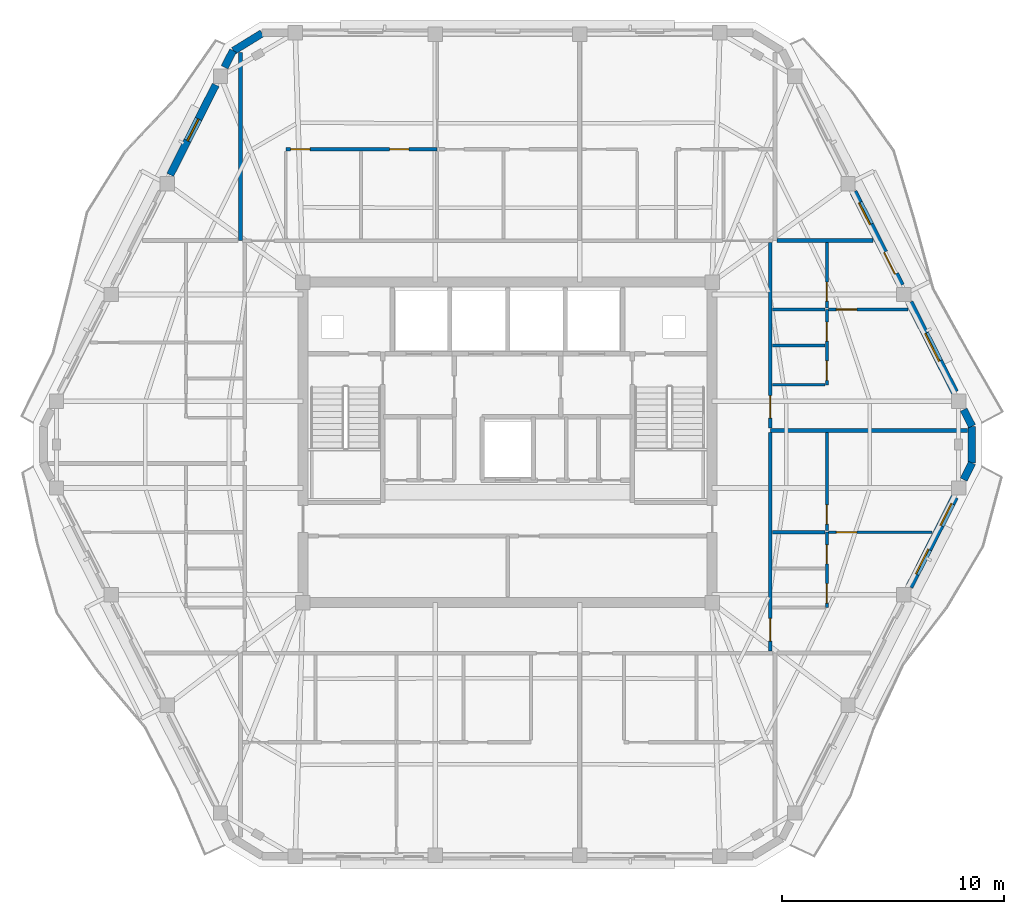
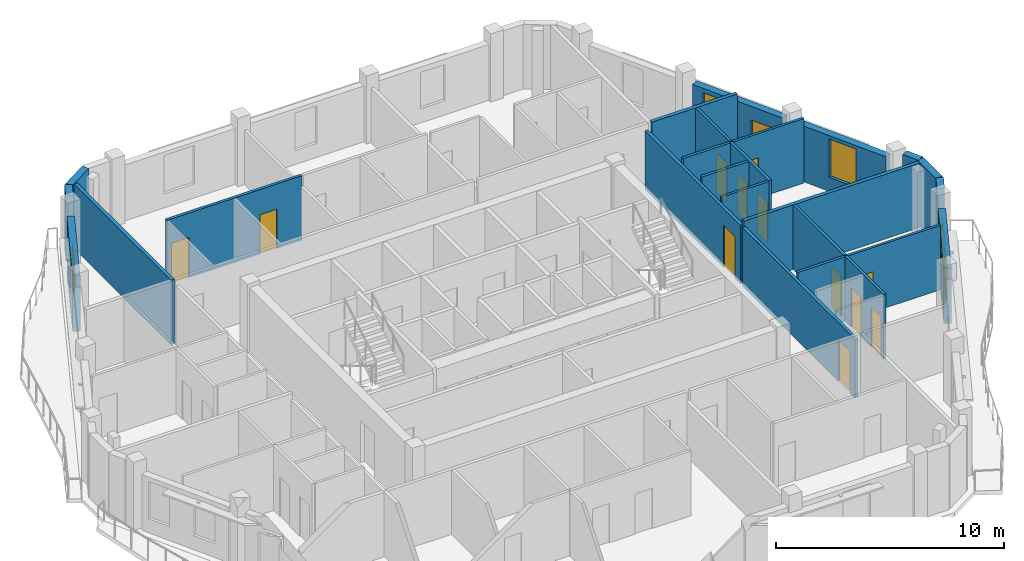
# One storey, part 7 of 11: 25 walls, 13 doors, 5 windows, 18 openings.
"""IFC4 building model written with IfcOpenShell, lengths in metres."""

from ifc_helpers import new_model, si_unit, direction, frame, frame_2d, origin, place, context, subcontext, project, spatial, rectangle, extrude, material, layer, layer_set, type_object, element, fill, save


model = new_model("IFC4")

# Units and contexts
model_context = context("Model", 3, precision=1e-05, world=origin(), true_north=direction((0.0, 1.0)))
body_context = subcontext(model_context, "Body", "Model", "MODEL_VIEW")
ifc_project = project(units=[si_unit("LENGTHUNIT", "METRE"), si_unit("AREAUNIT", "SQUARE_METRE"), si_unit("VOLUMEUNIT", "CUBIC_METRE"), si_unit("PLANEANGLEUNIT", "RADIAN"), si_unit("MASSUNIT", "GRAM", prefix="KILO")], contexts=[model_context])

# Site, building, storey
site_placement = place(None, origin())
site = spatial("IfcSite", under=ifc_project, at=site_placement, CompositionType="ELEMENT")
building_placement = place(site_placement, origin())
building = spatial("IfcBuilding", under=site, at=building_placement, Name="Cinnabar Lancet Tower", CompositionType="ELEMENT")
storey_placement = place(building_placement, frame((0.0, 0.0, 259.85009765625)))
storey = spatial("IfcBuildingStorey", under=building, at=storey_placement, Name="L69", CompositionType="ELEMENT", Elevation=259.85009765625)

# Wall, opening, door
ifc_material_1 = material(Name="Acoustic twin-stud gypsum partition", Category="gypsum")
ifc_layer_1 = layer(ifc_material_1, 0.159912109375)
ifc_layer_set_1 = layer_set([ifc_layer_1], Name="Acoustic twin-stud gypsum partition")
wall_type_1 = type_object("IfcWallType", Name="ARC-WL-CORR-160", PredefinedType="PARTITIONING", material=ifc_layer_set_1)
wall_1_placement = place(storey_placement, frame((44.25, 16.4951171875, 0.0), z_axis=(0.0, 0.0, 1.0), x_axis=(0.0, 1.0, 0.0)))
wall_1 = element("IfcWall", 1, at=wall_1_placement, inside=storey, type_object=wall_type_1, Name="UW-L69-E01-COR", PredefinedType="PARTITIONING", context=body_context, shape_type="SweptSolid", body=[
    extrude(rectangle(XDim=9.85400390625, YDim=0.159912109375, at=frame_2d((4.927001953125, 0.0))), origin(), (0.0, 0.0, 1.0), 3.136962890625),
])
opening_1_placement = place(wall_1_placement, frame((0.449951171875, 0.0, 0.0)))
opening_1 = element("IfcOpeningElement", 2, at=opening_1_placement, cuts=wall_1, Name="Opening UD-01", PredefinedType="OPENING", context=body_context, shape_type="SweptSolid", body=[
    extrude(rectangle(XDim=1.02001953125, YDim=2.25, at=frame_2d((0.510009765625, 1.125))), frame((0.0, 0.08984375, 0.0), z_axis=(0.0, -1.0, 0.0), x_axis=(1.0, 0.0, 0.0)), (0.0, 0.0, 1.0), 0.179931640625),
])
ifc_material_2 = material(Name="Solid timber fire-rated apartment entrance door", Category="wood")
door_type_1 = type_object("IfcDoorType", Name="ARC-DR-UNIT", OperationType="NOTDEFINED", PredefinedType="DOOR", material=ifc_material_2)
door_1_placement = place(opening_1_placement, origin())
door_1 = element("IfcDoor", 3, at=door_1_placement, inside=storey, type_object=door_type_1, Name="DR-L69-E01-ENT", OperationType="SINGLE_SWING_LEFT", OverallHeight=2.25, OverallWidth=1.02001953125, PredefinedType="DOOR", context=body_context, shape_type="SweptSolid", body=[
    extrude(rectangle(XDim=1.02001953125, YDim=2.25, at=frame_2d((0.510009765625, 1.125))), frame((0.0, 0.02490234375, 0.0), z_axis=(0.0, -1.0, 0.0), x_axis=(1.0, 0.0, 0.0)), (0.0, 0.0, 1.0), 0.050048828125),
])
fill(opening_1, door_1)

wall_2_placement = place(storey_placement, frame((44.25, 26.5390625, 0.0), z_axis=(0.0, 0.0, 1.0), x_axis=(0.0, 1.0, 0.0)))
wall_2 = element("IfcWall", 4, at=wall_2_placement, inside=storey, type_object=wall_type_1, Name="UW-L69-E02-COR", PredefinedType="PARTITIONING", context=body_context, shape_type="SweptSolid", body=[
    extrude(rectangle(XDim=8.365966796875, YDim=0.159912109375, at=frame_2d((4.18310546875, 0.0))), origin(), (0.0, 0.0, 1.0), 3.136962890625),
])
opening_2_placement = place(wall_2_placement, frame((0.449951171875, 0.0, 0.0)))
opening_2 = element("IfcOpeningElement", 5, at=opening_2_placement, cuts=wall_2, Name="Opening UD-01", PredefinedType="OPENING", context=body_context, shape_type="SweptSolid", body=[
    extrude(rectangle(XDim=1.02001953125, YDim=2.25, at=frame_2d((0.510009765625, 1.125))), frame((0.0, 0.08984375, 0.0), z_axis=(0.0, -1.0, 0.0), x_axis=(1.0, 0.0, 0.0)), (0.0, 0.0, 1.0), 0.179931640625),
])
door_2_placement = place(opening_2_placement, origin())
door_2 = element("IfcDoor", 6, at=door_2_placement, inside=storey, type_object=door_type_1, Name="DR-L69-E02-ENT", OperationType="SINGLE_SWING_RIGHT", OverallHeight=2.25, OverallWidth=1.02001953125, PredefinedType="DOOR", context=body_context, shape_type="SweptSolid", body=[
    extrude(rectangle(XDim=1.02001953125, YDim=2.25, at=frame_2d((0.510009765625, 1.125))), frame((0.0, 0.02490234375, 0.0), z_axis=(0.0, -1.0, 0.0), x_axis=(1.0, 0.0, 0.0)), (0.0, 0.0, 1.0), 0.050048828125),
])
fill(opening_2, door_2)

# Walls
ifc_material_3 = material(Name="Fire-rated twin-frame acoustic drywall", Category="gypsum")
ifc_layer_2 = layer(ifc_material_3, 0.179931640625)
ifc_layer_set_2 = layer_set([ifc_layer_2], Name="Fire-rated twin-frame acoustic drywall")
wall_type_2 = type_object("IfcWallType", Name="ARC-WL-PARTY-180", PredefinedType="PARTITIONING", material=ifc_layer_set_2)
wall_3_placement = place(storey_placement, frame((20.35009765625, 35.0, 0.0), z_axis=(0.0, 0.0, 1.0), x_axis=(0.0, 1.0, 0.0)))
element("IfcWall", 7, at=wall_3_placement, inside=storey, type_object=wall_type_2, Name="PW-L69-NPTY-204", PredefinedType="PARTITIONING", context=body_context, shape_type="SweptSolid", body=[
    extrude(rectangle(XDim=8.48095703125, YDim=0.179931640625, at=frame_2d((4.240478515625, 0.0))), origin(), (0.0, 0.0, 1.0), 3.449951171875),
])
wall_4_placement = place(storey_placement, frame((44.544921875, 35.0, 0.0), z_axis=(0.0, 0.0, 1.0), x_axis=(1.0, 0.0, 0.0)))
element("IfcWall", 8, at=wall_4_placement, inside=storey, type_object=wall_type_2, Name="PW-L69-ENB", PredefinedType="PARTITIONING", context=body_context, shape_type="SweptSolid", body=[
    extrude(rectangle(XDim=4.322021484375, YDim=0.179931640625, at=frame_2d((2.1611328125, 0.0))), origin(), (0.0, 0.0, 1.0), 3.449951171875),
])
wall_5_placement = place(storey_placement, frame((44.25, 26.444091796875, 0.0), z_axis=(0.0, 0.0, 1.0), x_axis=(1.0, 0.0, 0.0)))
element("IfcWall", 9, at=wall_5_placement, inside=storey, type_object=wall_type_2, Name="PW-L69-EPTY-1", PredefinedType="PARTITIONING", context=body_context, shape_type="SweptSolid", body=[
    extrude(rectangle(XDim=8.89794921875, YDim=0.179931640625, at=frame_2d((4.448974609375, 0.0))), origin(), (0.0, 0.0, 1.0), 3.449951171875),
])

# Wall, opening, door
ifc_material_4 = material(Name="Gypsum plasterboard stud partition", Category="gypsum")
ifc_layer_3 = layer(ifc_material_4, 0.125)
ifc_layer_set_3 = layer_set([ifc_layer_3], Name="Gypsum plasterboard stud partition")
wall_type_3 = type_object("IfcWallType", Name="ARC-WL-UNIT-125", PredefinedType="PARTITIONING", material=ifc_layer_set_3)
wall_6_placement = place(storey_placement, frame((46.875, 21.85009765625, 0.0), z_axis=(0.0, 0.0, 1.0), x_axis=(1.0, 0.0, 0.0)))
wall_6 = element("IfcWall", 10, at=wall_6_placement, inside=storey, type_object=wall_type_3, Name="UW-L69-E01-MBN", PredefinedType="PARTITIONING", context=body_context, shape_type="SweptSolid", body=[
    extrude(rectangle(XDim=4.6630859375, YDim=0.125, at=frame_2d((2.33154296875, 0.0))), origin(), (0.0, 0.0, 1.0), 3.449951171875),
])
opening_3_placement = place(wall_6_placement, frame((0.35009765625, 0.0, 0.0)))
opening_3 = element("IfcOpeningElement", 11, at=opening_3_placement, cuts=wall_6, Name="Opening RD-01", PredefinedType="OPENING", context=body_context, shape_type="SweptSolid", body=[
    extrude(rectangle(XDim=0.919921875, YDim=2.14990234375, at=frame_2d((0.4599609375, 1.074951171875))), frame((0.0, 0.072509765625, 0.0), z_axis=(0.0, -1.0, 0.0), x_axis=(1.0, 0.0, 0.0)), (0.0, 0.0, 1.0), 0.14501953125),
])
ifc_material_5 = material(Name="Engineered timber bedroom door", Category="wood")
door_type_2 = type_object("IfcDoorType", Name="ARC-DR-ROOM", OperationType="NOTDEFINED", PredefinedType="DOOR", material=ifc_material_5)
door_3_placement = place(opening_3_placement, origin())
door_3 = element("IfcDoor", 12, at=door_3_placement, inside=storey, type_object=door_type_2, Name="DR-L69-E01-MBD", OperationType="SINGLE_SWING_LEFT", OverallHeight=2.14990234375, OverallWidth=0.919921875, PredefinedType="DOOR", context=body_context, shape_type="SweptSolid", body=[
    extrude(rectangle(XDim=0.919921875, YDim=2.14990234375, at=frame_2d((0.4599609375, 1.074951171875))), frame((0.0, 0.02490234375, 0.0), z_axis=(0.0, -1.0, 0.0), x_axis=(1.0, 0.0, 0.0)), (0.0, 0.0, 1.0), 0.050048828125),
])
fill(opening_3, door_3)

# Wall
wall_7_placement = place(storey_placement, frame((44.3349609375, 28.493896484375, 0.0), z_axis=(0.0, 0.0, 1.0), x_axis=(1.0, 0.0, 0.0)))
element("IfcWall", 13, at=wall_7_placement, inside=storey, type_object=wall_type_3, Name="UW-L69-E02-FOYN", PredefinedType="PARTITIONING", context=body_context, shape_type="SweptSolid", body=[
    extrude(rectangle(XDim=2.380126953125, YDim=0.125, at=frame_2d((1.18994140625, 0.0))), origin(), (0.0, 0.0, 1.0), 3.449951171875),
])

# Wall, opening, door
wall_8_placement = place(storey_placement, frame((46.875, 31.89404296875, 0.0), z_axis=(0.0, 0.0, 1.0), x_axis=(1.0, 0.0, 0.0)))
wall_8 = element("IfcWall", 14, at=wall_8_placement, inside=storey, type_object=wall_type_3, Name="UW-L69-E02-MBN", PredefinedType="PARTITIONING", context=body_context, shape_type="SweptSolid", body=[
    extrude(rectangle(XDim=3.577880859375, YDim=0.125, at=frame_2d((1.7890625, 0.0))), origin(), (0.0, 0.0, 1.0), 3.449951171875),
])
opening_4_placement = place(wall_8_placement, frame((0.35009765625, 0.0, 0.0)))
opening_4 = element("IfcOpeningElement", 15, at=opening_4_placement, cuts=wall_8, Name="Opening RD-01", PredefinedType="OPENING", context=body_context, shape_type="SweptSolid", body=[
    extrude(rectangle(XDim=0.919921875, YDim=2.14990234375, at=frame_2d((0.4599609375, 1.074951171875))), frame((0.0, 0.072509765625, 0.0), z_axis=(0.0, -1.0, 0.0), x_axis=(1.0, 0.0, 0.0)), (0.0, 0.0, 1.0), 0.14501953125),
])
door_4_placement = place(opening_4_placement, origin())
door_4 = element("IfcDoor", 16, at=door_4_placement, inside=storey, type_object=door_type_2, Name="DR-L69-E02-MBD", OperationType="SINGLE_SWING_RIGHT", OverallHeight=2.14990234375, OverallWidth=0.919921875, PredefinedType="DOOR", context=body_context, shape_type="SweptSolid", body=[
    extrude(rectangle(XDim=0.919921875, YDim=2.14990234375, at=frame_2d((0.4599609375, 1.074951171875))), frame((0.0, 0.02490234375, 0.0), z_axis=(0.0, -1.0, 0.0), x_axis=(1.0, 0.0, 0.0)), (0.0, 0.0, 1.0), 0.050048828125),
])
fill(opening_4, door_4)

# Wall, openings, doors
ifc_material_6 = material(Name="Moisture-resistant cement-board plumbing wall", Category="masonry")
ifc_layer_4 = layer(ifc_material_6, 0.139892578125)
ifc_layer_set_4 = layer_set([ifc_layer_4], Name="Moisture-resistant cement-board plumbing wall")
wall_type_4 = type_object("IfcWallType", Name="ARC-WL-WET-140", PredefinedType="PLUMBINGWALL", material=ifc_layer_set_4)
wall_9_placement = place(storey_placement, frame((22.39990234375, 39.114990234375, 0.0), z_axis=(0.0, 0.0, 1.0), x_axis=(1.0, 0.0, 0.0)))
wall_9 = element("IfcWall", 17, at=wall_9_placement, inside=storey, type_object=wall_type_4, Name="UW-L69-N01-SPL", PredefinedType="PLUMBINGWALL", context=body_context, shape_type="SweptSolid", body=[
    extrude(rectangle(XDim=6.826171875, YDim=0.139892578125, at=frame_2d((3.4130859375, 0.0))), origin(), (0.0, 0.0, 1.0), 3.449951171875),
])
opening_5_placement = place(wall_9_placement, frame((4.68798828125, 0.0, 0.0)))
opening_5 = element("IfcOpeningElement", 18, at=opening_5_placement, cuts=wall_9, Name="Opening BD-01", PredefinedType="OPENING", context=body_context, shape_type="SweptSolid", body=[
    extrude(rectangle(XDim=0.860107421875, YDim=2.10009765625, at=frame_2d((0.43017578125, 1.050048828125))), frame((0.0, 0.079833984375, 0.0), z_axis=(0.0, -1.0, 0.0), x_axis=(1.0, 0.0, 0.0)), (0.0, 0.0, 1.0), 0.159912109375),
])
opening_6_placement = place(wall_9_placement, frame((0.219970703125, 0.0, 0.0)))
opening_6 = element("IfcOpeningElement", 19, at=opening_6_placement, cuts=wall_9, Name="Opening RD-02", PredefinedType="OPENING", context=body_context, shape_type="SweptSolid", body=[
    extrude(rectangle(XDim=0.8798828125, YDim=2.14990234375, at=frame_2d((0.43994140625, 1.074951171875))), frame((0.0, 0.079833984375, 0.0), z_axis=(0.0, -1.0, 0.0), x_axis=(1.0, 0.0, 0.0)), (0.0, 0.0, 1.0), 0.159912109375),
])
ifc_material_7 = material(Name="Moisture-resistant timber bathroom door", Category="wood")
door_type_3 = type_object("IfcDoorType", Name="ARC-DR-BATH", OperationType="NOTDEFINED", PredefinedType="DOOR", material=ifc_material_7)
door_5_placement = place(opening_5_placement, origin())
door_5 = element("IfcDoor", 20, at=door_5_placement, inside=storey, type_object=door_type_3, Name="DR-L69-N01-BTH", OperationType="SINGLE_SWING_LEFT", OverallHeight=2.10009765625, OverallWidth=0.860107421875, PredefinedType="DOOR", context=body_context, shape_type="SweptSolid", body=[
    extrude(rectangle(XDim=0.860107421875, YDim=2.10009765625, at=frame_2d((0.43017578125, 1.050048828125))), frame((0.0, 0.02490234375, 0.0), z_axis=(0.0, -1.0, 0.0), x_axis=(1.0, 0.0, 0.0)), (0.0, 0.0, 1.0), 0.050048828125),
])
fill(opening_5, door_5)
ifc_material_8 = material(Name="Engineered timber study door", Category="wood")
door_type_4 = type_object("IfcDoorType", Name="ARC-DR-STUDY", OperationType="NOTDEFINED", PredefinedType="DOOR", material=ifc_material_8)
door_6_placement = place(opening_6_placement, origin())
door_6 = element("IfcDoor", 21, at=door_6_placement, inside=storey, type_object=door_type_4, Name="DR-L69-N01-KIT", OperationType="SINGLE_SWING_RIGHT", OverallHeight=2.14990234375, OverallWidth=0.8798828125, PredefinedType="DOOR", context=body_context, shape_type="SweptSolid", body=[
    extrude(rectangle(XDim=0.8798828125, YDim=2.14990234375, at=frame_2d((0.43994140625, 1.074951171875))), frame((0.0, 0.02490234375, 0.0), z_axis=(0.0, -1.0, 0.0), x_axis=(1.0, 0.0, 0.0)), (0.0, 0.0, 1.0), 0.050048828125),
])
fill(opening_6, door_6)

wall_10_placement = place(storey_placement, frame((46.800048828125, 18.449951171875, 0.0), z_axis=(0.0, 0.0, 1.0), x_axis=(0.0, 1.0, 0.0)))
wall_10 = element("IfcWall", 22, at=wall_10_placement, inside=storey, type_object=wall_type_4, Name="UW-L69-E01-SPL", PredefinedType="PLUMBINGWALL", context=body_context, shape_type="SweptSolid", body=[
    extrude(rectangle(XDim=3.400146484375, YDim=0.139892578125, at=frame_2d((1.7001953125, 0.0))), origin(), (0.0, 0.0, 1.0), 3.449951171875),
])
opening_7_placement = place(wall_10_placement, frame((0.199951171875, 0.0, 0.0)))
opening_7 = element("IfcOpeningElement", 23, at=opening_7_placement, cuts=wall_10, Name="Opening RD-02", PredefinedType="OPENING", context=body_context, shape_type="SweptSolid", body=[
    extrude(rectangle(XDim=0.8798828125, YDim=2.14990234375, at=frame_2d((0.43994140625, 1.074951171875))), frame((0.0, 0.079833984375, 0.0), z_axis=(0.0, -1.0, 0.0), x_axis=(1.0, 0.0, 0.0)), (0.0, 0.0, 1.0), 0.159912109375),
])
opening_8_placement = place(wall_10_placement, frame((1.968017578125, 0.0, 0.0)))
opening_8 = element("IfcOpeningElement", 24, at=opening_8_placement, cuts=wall_10, Name="Opening BD-01", PredefinedType="OPENING", context=body_context, shape_type="SweptSolid", body=[
    extrude(rectangle(XDim=0.860107421875, YDim=2.10009765625, at=frame_2d((0.43017578125, 1.050048828125))), frame((0.0, 0.079833984375, 0.0), z_axis=(0.0, -1.0, 0.0), x_axis=(1.0, 0.0, 0.0)), (0.0, 0.0, 1.0), 0.159912109375),
])
door_7_placement = place(opening_8_placement, origin())
door_7 = element("IfcDoor", 25, at=door_7_placement, inside=storey, type_object=door_type_3, Name="DR-L69-E01-BTH", OperationType="SINGLE_SWING_LEFT", OverallHeight=2.10009765625, OverallWidth=0.860107421875, PredefinedType="DOOR", context=body_context, shape_type="SweptSolid", body=[
    extrude(rectangle(XDim=0.860107421875, YDim=2.10009765625, at=frame_2d((0.43017578125, 1.050048828125))), frame((0.0, 0.02490234375, 0.0), z_axis=(0.0, -1.0, 0.0), x_axis=(1.0, 0.0, 0.0)), (0.0, 0.0, 1.0), 0.050048828125),
])
fill(opening_8, door_7)
door_8_placement = place(opening_7_placement, origin())
door_8 = element("IfcDoor", 26, at=door_8_placement, inside=storey, type_object=door_type_4, Name="DR-L69-E01-KIT", OperationType="SINGLE_SWING_RIGHT", OverallHeight=2.14990234375, OverallWidth=0.8798828125, PredefinedType="DOOR", context=body_context, shape_type="SweptSolid", body=[
    extrude(rectangle(XDim=0.8798828125, YDim=2.14990234375, at=frame_2d((0.43994140625, 1.074951171875))), frame((0.0, 0.02490234375, 0.0), z_axis=(0.0, -1.0, 0.0), x_axis=(1.0, 0.0, 0.0)), (0.0, 0.0, 1.0), 0.050048828125),
])
fill(opening_7, door_8)

# Wall, opening, door
wall_11_placement = place(storey_placement, frame((46.800048828125, 21.919921875, 0.0), z_axis=(0.0, 0.0, 1.0), x_axis=(0.0, 1.0, 0.0)))
wall_11 = element("IfcWall", 27, at=wall_11_placement, inside=storey, type_object=wall_type_4, Name="UW-L69-E01-SPM", PredefinedType="PLUMBINGWALL", context=body_context, shape_type="SweptSolid", body=[
    extrude(rectangle(XDim=4.42919921875, YDim=0.139892578125, at=frame_2d((2.214599609375, 0.0))), origin(), (0.0, 0.0, 1.0), 3.449951171875),
])
opening_9_placement = place(wall_11_placement, frame((0.300048828125, 0.0, 0.0)))
opening_9 = element("IfcOpeningElement", 28, at=opening_9_placement, cuts=wall_11, Name="Opening BD-01", PredefinedType="OPENING", context=body_context, shape_type="SweptSolid", body=[
    extrude(rectangle(XDim=0.860107421875, YDim=2.10009765625, at=frame_2d((0.43017578125, 1.050048828125))), frame((0.0, 0.079833984375, 0.0), z_axis=(0.0, -1.0, 0.0), x_axis=(1.0, 0.0, 0.0)), (0.0, 0.0, 1.0), 0.159912109375),
])
door_9_placement = place(opening_9_placement, origin())
door_9 = element("IfcDoor", 29, at=door_9_placement, inside=storey, type_object=door_type_3, Name="DR-L69-E01-ENS", OperationType="SINGLE_SWING_LEFT", OverallHeight=2.10009765625, OverallWidth=0.860107421875, PredefinedType="DOOR", context=body_context, shape_type="SweptSolid", body=[
    extrude(rectangle(XDim=0.860107421875, YDim=2.10009765625, at=frame_2d((0.43017578125, 1.050048828125))), frame((0.0, 0.02490234375, 0.0), z_axis=(0.0, -1.0, 0.0), x_axis=(1.0, 0.0, 0.0)), (0.0, 0.0, 1.0), 0.050048828125),
])
fill(opening_9, door_9)

# Wall
wall_12_placement = place(storey_placement, frame((44.3349609375, 21.85009765625, 0.0), z_axis=(0.0, 0.0, 1.0), x_axis=(1.0, 0.0, 0.0)))
element("IfcWall", 30, at=wall_12_placement, inside=storey, type_object=wall_type_4, Name="UW-L69-E01-ENSN", PredefinedType="PLUMBINGWALL", context=body_context, shape_type="SweptSolid", body=[
    extrude(rectangle(XDim=2.380126953125, YDim=0.139892578125, at=frame_2d((1.18994140625, 0.0))), origin(), (0.0, 0.0, 1.0), 3.449951171875),
])

# Wall, openings, doors
wall_13_placement = place(storey_placement, frame((46.800048828125, 28.493896484375, 0.0), z_axis=(0.0, 0.0, 1.0), x_axis=(0.0, 1.0, 0.0)))
wall_13 = element("IfcWall", 31, at=wall_13_placement, inside=storey, type_object=wall_type_4, Name="UW-L69-E02-SPL", PredefinedType="PLUMBINGWALL", context=body_context, shape_type="SweptSolid", body=[
    extrude(rectangle(XDim=3.400146484375, YDim=0.139892578125, at=frame_2d((1.7001953125, 0.0))), origin(), (0.0, 0.0, 1.0), 3.449951171875),
])
opening_10_placement = place(wall_13_placement, frame((0.199951171875, 0.0, 0.0)))
opening_10 = element("IfcOpeningElement", 32, at=opening_10_placement, cuts=wall_13, Name="Opening RD-02", PredefinedType="OPENING", context=body_context, shape_type="SweptSolid", body=[
    extrude(rectangle(XDim=0.8798828125, YDim=2.14990234375, at=frame_2d((0.43994140625, 1.074951171875))), frame((0.0, 0.079833984375, 0.0), z_axis=(0.0, -1.0, 0.0), x_axis=(1.0, 0.0, 0.0)), (0.0, 0.0, 1.0), 0.159912109375),
])
opening_11_placement = place(wall_13_placement, frame((1.968017578125, 0.0, 0.0)))
opening_11 = element("IfcOpeningElement", 33, at=opening_11_placement, cuts=wall_13, Name="Opening BD-01", PredefinedType="OPENING", context=body_context, shape_type="SweptSolid", body=[
    extrude(rectangle(XDim=0.860107421875, YDim=2.10009765625, at=frame_2d((0.43017578125, 1.050048828125))), frame((0.0, 0.079833984375, 0.0), z_axis=(0.0, -1.0, 0.0), x_axis=(1.0, 0.0, 0.0)), (0.0, 0.0, 1.0), 0.159912109375),
])
door_10_placement = place(opening_11_placement, origin())
door_10 = element("IfcDoor", 34, at=door_10_placement, inside=storey, type_object=door_type_3, Name="DR-L69-E02-BTH", OperationType="SINGLE_SWING_RIGHT", OverallHeight=2.10009765625, OverallWidth=0.860107421875, PredefinedType="DOOR", context=body_context, shape_type="SweptSolid", body=[
    extrude(rectangle(XDim=0.860107421875, YDim=2.10009765625, at=frame_2d((0.43017578125, 1.050048828125))), frame((0.0, 0.02490234375, 0.0), z_axis=(0.0, -1.0, 0.0), x_axis=(1.0, 0.0, 0.0)), (0.0, 0.0, 1.0), 0.050048828125),
])
fill(opening_11, door_10)
door_11_placement = place(opening_10_placement, origin())
door_11 = element("IfcDoor", 35, at=door_11_placement, inside=storey, type_object=door_type_4, Name="DR-L69-E02-KIT", OperationType="SINGLE_SWING_LEFT", OverallHeight=2.14990234375, OverallWidth=0.8798828125, PredefinedType="DOOR", context=body_context, shape_type="SweptSolid", body=[
    extrude(rectangle(XDim=0.8798828125, YDim=2.14990234375, at=frame_2d((0.43994140625, 1.074951171875))), frame((0.0, 0.02490234375, 0.0), z_axis=(0.0, -1.0, 0.0), x_axis=(1.0, 0.0, 0.0)), (0.0, 0.0, 1.0), 0.050048828125),
])
fill(opening_10, door_11)

# Wall, opening, door
wall_14_placement = place(storey_placement, frame((46.800048828125, 31.964111328125, 0.0), z_axis=(0.0, 0.0, 1.0), x_axis=(0.0, 1.0, 0.0)))
wall_14 = element("IfcWall", 36, at=wall_14_placement, inside=storey, type_object=wall_type_4, Name="UW-L69-E02-SPM", PredefinedType="PLUMBINGWALL", context=body_context, shape_type="SweptSolid", body=[
    extrude(rectangle(XDim=2.94091796875, YDim=0.139892578125, at=frame_2d((1.470458984375, 0.0))), origin(), (0.0, 0.0, 1.0), 3.449951171875),
])
opening_12_placement = place(wall_14_placement, frame((0.300048828125, 0.0, 0.0)))
opening_12 = element("IfcOpeningElement", 37, at=opening_12_placement, cuts=wall_14, Name="Opening BD-01", PredefinedType="OPENING", context=body_context, shape_type="SweptSolid", body=[
    extrude(rectangle(XDim=0.860107421875, YDim=2.10009765625, at=frame_2d((0.43017578125, 1.050048828125))), frame((0.0, 0.079833984375, 0.0), z_axis=(0.0, -1.0, 0.0), x_axis=(1.0, 0.0, 0.0)), (0.0, 0.0, 1.0), 0.159912109375),
])
door_12_placement = place(opening_12_placement, origin())
door_12 = element("IfcDoor", 38, at=door_12_placement, inside=storey, type_object=door_type_3, Name="DR-L69-E02-ENS", OperationType="SINGLE_SWING_RIGHT", OverallHeight=2.10009765625, OverallWidth=0.860107421875, PredefinedType="DOOR", context=body_context, shape_type="SweptSolid", body=[
    extrude(rectangle(XDim=0.860107421875, YDim=2.10009765625, at=frame_2d((0.43017578125, 1.050048828125))), frame((0.0, 0.02490234375, 0.0), z_axis=(0.0, -1.0, 0.0), x_axis=(1.0, 0.0, 0.0)), (0.0, 0.0, 1.0), 0.050048828125),
])
fill(opening_12, door_12)

# Walls
for number, where, z_axis, x_axis, name in (
    (39, (44.3349609375, 31.89404296875, 0.0), (0.0, 0.0, 1.0), (1.0, 0.0, 0.0), "UW-L69-E02-ENSN"),
    (40, (44.3349609375, 30.261962890625, 0.0), (0.0, 0.0, 1.0), (1.0, 0.0, 0.0), "UW-L69-E02-KDV"),
):
    element("IfcWall", number, at=place(storey_placement, frame(where, z_axis=z_axis, x_axis=x_axis)), inside=storey, type_object=wall_type_4, Name=name, PredefinedType="PLUMBINGWALL", context=body_context, shape_type="SweptSolid", body=[
        extrude(rectangle(XDim=2.380126953125, YDim=0.139892578125, at=frame_2d((1.18994140625, 0.0))), origin(), (0.0, 0.0, 1.0), 3.449951171875),
    ])
ifc_material_9 = material(Name="Cinnabar red clay brick", Category="masonry")
ifc_layer_5 = layer(ifc_material_9, 0.340087890625)
ifc_layer_set_5 = layer_set([ifc_layer_5], Name="Cinnabar red clay brick")
wall_type_5 = type_object("IfcWallType", Name="ENV-WL-BRK-RED-340", PredefinedType="STANDARD", material=ifc_layer_set_5)
wall_15_placement = place(storey_placement, frame((53.322998046875, 24.97998046875, 0.0), z_axis=(0.0, 0.0, 1.0), x_axis=(0.0, 1.0, 0.0)))
element("IfcWall", 41, at=wall_15_placement, inside=storey, type_object=wall_type_5, Name="L69 Chamfered Corner Brick Pier 3.1", PredefinedType="STANDARD", context=body_context, shape_type="SweptSolid", body=[
    extrude(rectangle(XDim=1.64013671875, YDim=0.340087890625, at=frame_2d((0.820068359375, 0.0))), origin(), (0.0, 0.0, 1.0), 3.449951171875),
])
wall_16_placement = place(storey_placement, frame((21.3310546875, 44.344970703125, 0.0), z_axis=(0.0, 0.0, 1.0), x_axis=(-0.851680557619, -0.52406128246, 0.0)))
element("IfcWall", 42, at=wall_16_placement, inside=storey, type_object=wall_type_5, Name="L69 Chamfered Corner Brick Pier 5.1", PredefinedType="STANDARD", context=body_context, shape_type="SweptSolid", body=[
    extrude(rectangle(XDim=1.507568359375, YDim=0.340087890625, at=frame_2d((0.75390625, 0.0))), origin(), (0.0, 0.0, 1.0), 3.449951171875),
])

# Wall, openings, windows
wall_17_placement = place(storey_placement, frame((50.52294921875, 19.39697265625, 0.0), z_axis=(0.0, 0.0, 1.0), x_axis=(0.45147697324, 0.892282770558, 0.0)))
wall_17 = element("IfcWall", 43, at=wall_17_placement, inside=storey, type_object=wall_type_5, Name="L69 Face 2 Masonry Bay Wall 4", PredefinedType="STANDARD", context=body_context, shape_type="SweptSolid", body=[
    extrude(rectangle(XDim=4.530029296875, YDim=0.340087890625, at=frame_2d((2.26513671875, 0.0))), origin(), (0.0, 0.0, 1.0), 2.98291015625),
])
opening_13_placement = place(wall_17_placement, frame((0.637939453125, 0.0, 0.75)))
opening_13 = element("IfcOpeningElement", 44, at=opening_13_placement, cuts=wall_17, Name="Opening WN-03", PredefinedType="OPENING", context=body_context, shape_type="SweptSolid", body=[
    extrude(rectangle(XDim=1.25, YDim=1.949951171875, at=frame_2d((0.625, 0.97509765625))), frame((0.0, 0.179931640625, 0.0), z_axis=(0.0, -1.0, 0.0), x_axis=(1.0, 0.0, 0.0)), (0.0, 0.0, 1.0), 0.360107421875),
])
opening_14_placement = place(wall_17_placement, frame((3.097900390625, 0.0, 0.75)))
opening_14 = element("IfcOpeningElement", 45, at=opening_14_placement, cuts=wall_17, Name="Opening WN-04", PredefinedType="OPENING", context=body_context, shape_type="SweptSolid", body=[
    extrude(rectangle(XDim=1.10009765625, YDim=2.0, at=frame_2d((0.550048828125, 1.0))), frame((0.0, 0.179931640625, 0.0), z_axis=(0.0, -1.0, 0.0), x_axis=(1.0, 0.0, 0.0)), (0.0, 0.0, 1.0), 0.360107421875),
])
ifc_material_10 = material(Name="Thermally broken bronze-anodized aluminium tall lancet window", Category="aluminium")
window_type_1 = type_object("IfcWindowType", Name="ENV-WN-LANCET-1100", PartitioningType="SINGLE_PANEL", PredefinedType="WINDOW", material=ifc_material_10)
window_1_placement = place(opening_14_placement, origin())
window_1 = element("IfcWindow", 46, at=window_1_placement, inside=storey, type_object=window_type_1, Name="L69 Split-Bay Gothic Lancet Window 252", OverallHeight=2.0, OverallWidth=1.10009765625, PartitioningType="SINGLE_PANEL", PredefinedType="WINDOW", context=body_context, shape_type="SweptSolid", body=[
    extrude(rectangle(XDim=1.10009765625, YDim=2.0, at=frame_2d((0.550048828125, 1.0))), frame((0.0, 0.030029296875, 0.0), z_axis=(0.0, -1.0, 0.0), x_axis=(1.0, 0.0, 0.0)), (0.0, 0.0, 1.0), 0.06005859375),
])
fill(opening_14, window_1)
ifc_material_11 = material(Name="Thermally broken bronze-anodized aluminium low-E double glazing", Category="aluminium")
window_type_2 = type_object("IfcWindowType", Name="ENV-WN-LANCET-1250", PartitioningType="SINGLE_PANEL", PredefinedType="WINDOW", material=ifc_material_11)
window_2_placement = place(opening_13_placement, origin())
window_2 = element("IfcWindow", 47, at=window_2_placement, inside=storey, type_object=window_type_2, Name="L69 Face 2 Gothic Lancet Window 4", OverallHeight=1.949951171875, OverallWidth=1.25, PartitioningType="SINGLE_PANEL", PredefinedType="WINDOW", context=body_context, shape_type="SweptSolid", body=[
    extrude(rectangle(XDim=1.25, YDim=1.949951171875, at=frame_2d((0.625, 0.97509765625))), frame((0.0, 0.030029296875, 0.0), z_axis=(0.0, -1.0, 0.0), x_axis=(1.0, 0.0, 0.0)), (0.0, 0.0, 1.0), 0.06005859375),
])
fill(opening_13, window_2)

# Walls
wall_18_placement = place(storey_placement, frame((52.965087890625, 24.22412109375, 0.0), z_axis=(0.0, 0.0, 1.0), x_axis=(0.4515140893, 0.892263989615, 0.0)))
element("IfcWall", 48, at=wall_18_placement, inside=storey, type_object=wall_type_5, Name="L69 Face 2 Masonry Bay Wall 5", PredefinedType="STANDARD", context=body_context, shape_type="SweptSolid", body=[
    extrude(rectangle(XDim=0.839111328125, YDim=0.340087890625, at=frame_2d((0.41943359375, 0.0))), origin(), (0.0, 0.0, 1.0), 3.449951171875),
])
wall_19_placement = place(storey_placement, frame((53.343994140625, 26.626953125, 0.0), z_axis=(0.0, 0.0, 1.0), x_axis=(-0.45139691133, 0.892323275748, 0.0)))
element("IfcWall", 49, at=wall_19_placement, inside=storey, type_object=wall_type_5, Name="L69 Face 3 Masonry Bay Wall 1", PredefinedType="STANDARD", context=body_context, shape_type="SweptSolid", body=[
    extrude(rectangle(XDim=0.83935546875, YDim=0.340087890625, at=frame_2d((0.419677734375, 0.0))), origin(), (0.0, 0.0, 1.0), 3.449951171875),
])

# Wall, opening, window
wall_20_placement = place(storey_placement, frame((52.568115234375, 28.160888671875, 0.0), z_axis=(0.0, 0.0, 1.0), x_axis=(-0.45147697324, 0.892282770558, 0.0)))
wall_20 = element("IfcWall", 50, at=wall_20_placement, inside=storey, type_object=wall_type_5, Name="L69 Face 3 Masonry Bay Wall 2", PredefinedType="STANDARD", context=body_context, shape_type="SweptSolid", body=[
    extrude(rectangle(XDim=4.530029296875, YDim=0.340087890625, at=frame_2d((2.26513671875, 0.0))), origin(), (0.0, 0.0, 1.0), 2.98291015625),
])
opening_15_placement = place(wall_20_placement, frame((1.56494140625, 0.0, 0.75)))
opening_15 = element("IfcOpeningElement", 51, at=opening_15_placement, cuts=wall_20, Name="Opening WN-02", PredefinedType="OPENING", context=body_context, shape_type="SweptSolid", body=[
    extrude(rectangle(XDim=1.39990234375, YDim=2.050048828125, at=frame_2d((0.699951171875, 1.02490234375))), frame((0.0, 0.179931640625, 0.0), z_axis=(0.0, -1.0, 0.0), x_axis=(1.0, 0.0, 0.0)), (0.0, 0.0, 1.0), 0.360107421875),
])
ifc_material_12 = material(Name="Thermally broken bronze-anodized aluminium low-E double glazing", Category="aluminium")
window_type_3 = type_object("IfcWindowType", Name="ENV-WN-LANCET-1400", PartitioningType="SINGLE_PANEL", PredefinedType="WINDOW", material=ifc_material_12)
window_3_placement = place(opening_15_placement, origin())
window_3 = element("IfcWindow", 52, at=window_3_placement, inside=storey, type_object=window_type_3, Name="L69 Face 3 Gothic Lancet Window 2", OverallHeight=2.050048828125, OverallWidth=1.39990234375, PartitioningType="SINGLE_PANEL", PredefinedType="WINDOW", context=body_context, shape_type="SweptSolid", body=[
    extrude(rectangle(XDim=1.39990234375, YDim=2.050048828125, at=frame_2d((0.699951171875, 1.02490234375))), frame((0.0, 0.030029296875, 0.0), z_axis=(0.0, -1.0, 0.0), x_axis=(1.0, 0.0, 0.0)), (0.0, 0.0, 1.0), 0.06005859375),
])
fill(opening_15, window_3)

# Wall, openings, door, window
wall_21_placement = place(storey_placement, frame((50.134033203125, 32.972900390625, 0.0), z_axis=(0.0, 0.0, 1.0), x_axis=(-0.451447516904, 0.892297674255, 0.0)))
wall_21 = element("IfcWall", 53, at=wall_21_placement, inside=storey, type_object=wall_type_5, Name="L69 Face 3 Masonry Bay Wall 3", PredefinedType="STANDARD", context=body_context, shape_type="SweptSolid", body=[
    extrude(rectangle(XDim=4.72265625, YDim=0.340087890625, at=frame_2d((2.361328125, 0.0))), origin(), (0.0, 0.0, 1.0), 2.98291015625),
])
opening_16_placement = place(wall_21_placement, frame((0.570068359375, 0.0, 0.0)))
opening_16 = element("IfcOpeningElement", 54, at=opening_16_placement, cuts=wall_21, Name="Opening TD-01", PredefinedType="OPENING", context=body_context, shape_type="SweptSolid", body=[
    extrude(rectangle(XDim=1.10009765625, YDim=2.25, at=frame_2d((0.550048828125, 1.125))), frame((0.0, 0.179931640625, 0.0), z_axis=(0.0, -1.0, 0.0), x_axis=(1.0, 0.0, 0.0)), (0.0, 0.0, 1.0), 0.360107421875),
])
opening_17_placement = place(wall_21_placement, frame((3.076904296875, 0.0, 0.75)))
opening_17 = element("IfcOpeningElement", 55, at=opening_17_placement, cuts=wall_21, Name="Opening WN-04", PredefinedType="OPENING", context=body_context, shape_type="SweptSolid", body=[
    extrude(rectangle(XDim=1.10009765625, YDim=2.0, at=frame_2d((0.550048828125, 1.0))), frame((0.0, 0.179931640625, 0.0), z_axis=(0.0, -1.0, 0.0), x_axis=(1.0, 0.0, 0.0)), (0.0, 0.0, 1.0), 0.360107421875),
])
ifc_material_13 = material(Name="Thermally broken low-E glazed balcony terrace door", Category="wood")
door_type_5 = type_object("IfcDoorType", Name="ARC-DR-BALC", OperationType="NOTDEFINED", PredefinedType="DOOR", material=ifc_material_13)
door_13_placement = place(opening_16_placement, origin())
door_13 = element("IfcDoor", 56, at=door_13_placement, inside=storey, type_object=door_type_5, Name="L69 Face 3 Glazed Terrace Door", OperationType="SINGLE_SWING_LEFT", OverallHeight=2.25, OverallWidth=1.10009765625, PredefinedType="DOOR", context=body_context, shape_type="SweptSolid", body=[
    extrude(rectangle(XDim=1.10009765625, YDim=2.25, at=frame_2d((0.550048828125, 1.125))), frame((0.0, 0.02490234375, 0.0), z_axis=(0.0, -1.0, 0.0), x_axis=(1.0, 0.0, 0.0)), (0.0, 0.0, 1.0), 0.050048828125),
])
fill(opening_16, door_13)
window_4_placement = place(opening_17_placement, origin())
window_4 = element("IfcWindow", 57, at=window_4_placement, inside=storey, type_object=window_type_1, Name="L69 Split-Bay Gothic Lancet Window 253", OverallHeight=2.0, OverallWidth=1.10009765625, PartitioningType="SINGLE_PANEL", PredefinedType="WINDOW", context=body_context, shape_type="SweptSolid", body=[
    extrude(rectangle(XDim=1.10009765625, YDim=2.0, at=frame_2d((0.550048828125, 1.0))), frame((0.0, 0.030029296875, 0.0), z_axis=(0.0, -1.0, 0.0), x_axis=(1.0, 0.0, 0.0)), (0.0, 0.0, 1.0), 0.06005859375),
])
fill(opening_17, window_4)

# Wall
wall_22_placement = place(storey_placement, frame((20.027099609375, 43.571044921875, 0.0), z_axis=(0.0, 0.0, 1.0), x_axis=(-0.451907025977, -0.8920650424, 0.0)))
element("IfcWall", 58, at=wall_22_placement, inside=storey, type_object=wall_type_5, Name="L69 Face 5 Masonry Bay Wall 1", PredefinedType="STANDARD", context=body_context, shape_type="SweptSolid", body=[
    extrude(rectangle(XDim=0.85205078125, YDim=0.340087890625, at=frame_2d((0.426025390625, 0.0))), origin(), (0.0, 0.0, 1.0), 3.449951171875),
])

# Wall, opening, window
wall_23_placement = place(storey_placement, frame((19.243896484375, 42.02294921875, 0.0), z_axis=(0.0, 0.0, 1.0), x_axis=(-0.45149770819, -0.892272278791, 0.0)))
wall_23 = element("IfcWall", 59, at=wall_23_placement, inside=storey, type_object=wall_type_5, Name="L69 Face 5 Masonry Bay Wall 2", PredefinedType="STANDARD", context=body_context, shape_type="SweptSolid", body=[
    extrude(rectangle(XDim=4.553466796875, YDim=0.340087890625, at=frame_2d((2.27685546875, 0.0))), origin(), (0.0, 0.0, 1.0), 2.98291015625),
])
opening_18_placement = place(wall_23_placement, frame((1.72705078125, 0.0, 0.75)))
opening_18 = element("IfcOpeningElement", 60, at=opening_18_placement, cuts=wall_23, Name="Opening WN-04", PredefinedType="OPENING", context=body_context, shape_type="SweptSolid", body=[
    extrude(rectangle(XDim=1.10009765625, YDim=2.0, at=frame_2d((0.550048828125, 1.0))), frame((0.0, 0.179931640625, 0.0), z_axis=(0.0, -1.0, 0.0), x_axis=(1.0, 0.0, 0.0)), (0.0, 0.0, 1.0), 0.360107421875),
])
window_5_placement = place(opening_18_placement, origin())
window_5 = element("IfcWindow", 61, at=window_5_placement, inside=storey, type_object=window_type_1, Name="L69 Face 5 Gothic Lancet Window 2", OverallHeight=2.0, OverallWidth=1.10009765625, PartitioningType="SINGLE_PANEL", PredefinedType="WINDOW", context=body_context, shape_type="SweptSolid", body=[
    extrude(rectangle(XDim=1.10009765625, YDim=2.0, at=frame_2d((0.550048828125, 1.0))), frame((0.0, 0.030029296875, 0.0), z_axis=(0.0, -1.0, 0.0), x_axis=(1.0, 0.0, 0.0)), (0.0, 0.0, 1.0), 0.06005859375),
])
fill(opening_18, window_5)

save(model, "model.ifc")
